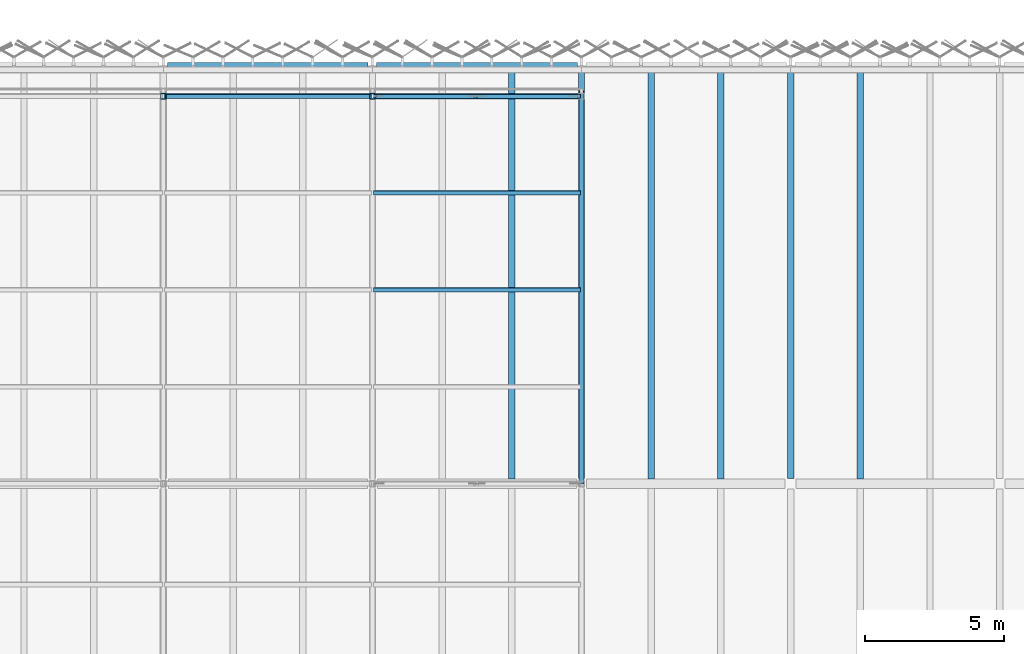
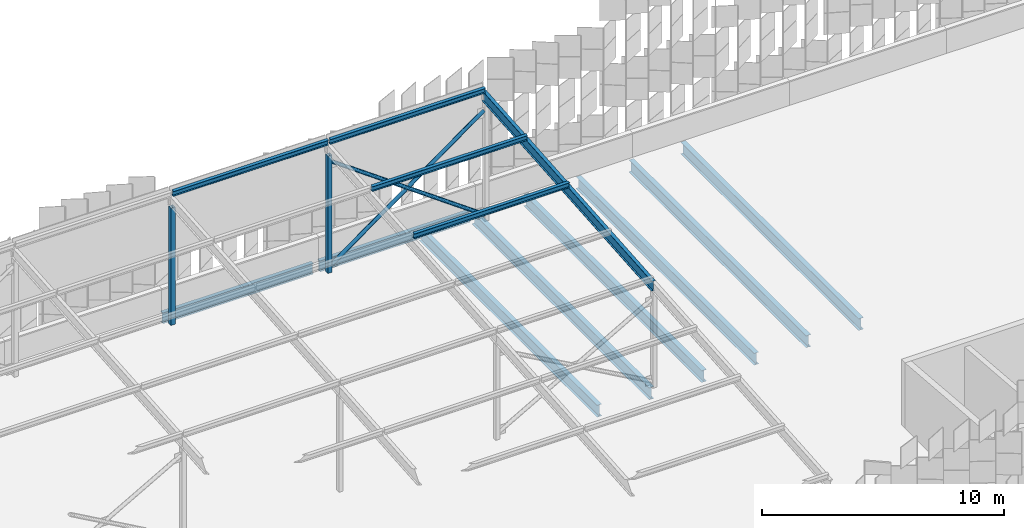
# One storey, part 99 of 483: 10 members, 8 beams.
"""IFC4 building model written with IfcOpenShell, lengths in metres."""

import ifcopenshell
import ifcopenshell.guid

model = None  # the IFC model being written
_history = None  # IfcOwnerHistory: only IFC2X3 demands one
_inside = {}  # id of a spatial element -> (the spatial element, [elements in it])
_under = {}  # id of a project, library or spatial element -> (it, [spatial elements below it])
_declared = {}  # id of a project -> (the project, [libraries it declares])
_typed = {}  # id of a type object -> (the type object, [elements of that type])
_made_of = {}  # id of a material, layer set ... -> (it, [elements and type objects made of it])


def new_model(schema):
    """Start an empty IFC model of exactly this schema.

    Asked for "IFC4X3", IfcOpenShell would pick the latest addendum, in which some entities
    have other attributes; the version numbers below select the first issue.
    IFC2X3 requires an IfcOwnerHistory on every rooted entity: one is made here for all.
    """
    global model, _history
    if schema == "IFC4X3":
        model = ifcopenshell.file(schema_version=(4, 3, 0, 0))
    else:
        model = ifcopenshell.file(schema=schema)
    _inside.clear()
    _under.clear()
    _declared.clear()
    _typed.clear()
    _made_of.clear()
    _history = None
    if model.schema == "IFC2X3":
        org = make("IfcOrganization", Name="unknown")
        user = make(
            "IfcPersonAndOrganization",
            ThePerson=make("IfcPerson", FamilyName="unknown"),
            TheOrganization=org,
        )
        app = make(
            "IfcApplication",
            ApplicationDeveloper=org,
            Version="unknown",
            ApplicationFullName="unknown",
            ApplicationIdentifier="unknown",
        )
        _history = make(
            "IfcOwnerHistory",
            OwningUser=user,
            OwningApplication=app,
            ChangeAction="ADDED",
            CreationDate=0,
        )
    return model


def make(cls, **values):
    """One entity of the class cls with the attributes given. An attribute that is None is left unset."""
    return model.create_entity(
        cls, **{name: value for name, value in values.items() if value is not None}
    )


def rooted(cls, **values):
    """An entity with a GlobalId (a new one), such as an element, a storey or a relation."""
    return make(cls, GlobalId=ifcopenshell.guid.new(), OwnerHistory=_history, **values)


def si_unit(unit_type, name, prefix=None):
    """IfcSIUnit, for example si_unit("LENGTHUNIT", "METRE", prefix="MILLI")."""
    return make("IfcSIUnit", UnitType=unit_type, Prefix=prefix, Name=name)


def assignment(units):
    """IfcUnitAssignment: the units of a project."""
    return None if units is None else make("IfcUnitAssignment", Units=units)


def point(xyz):
    """IfcCartesianPoint."""
    return None if xyz is None else make("IfcCartesianPoint", Coordinates=xyz)


def direction(xyz):
    """IfcDirection."""
    return None if xyz is None else make("IfcDirection", DirectionRatios=xyz)


def frame(location, z_axis=None, x_axis=None):
    """IfcAxis2Placement3D, a coordinate frame: its origin and axes. An axis left out is left unset."""
    return make(
        "IfcAxis2Placement3D",
        Location=point(location),
        Axis=direction(z_axis),
        RefDirection=direction(x_axis),
    )


def frame_2d(location, x_axis=None):
    """IfcAxis2Placement2D, a coordinate frame in the plane: its origin and x axis."""
    return make(
        "IfcAxis2Placement2D", Location=point(location), RefDirection=direction(x_axis)
    )


def origin():
    """The frame at (0, 0, 0) with its axes left unset."""
    return frame((0.0, 0.0, 0.0))


def origin_2d():
    """The frame at (0, 0) in the plane with its x axis left unset."""
    return frame_2d((0.0, 0.0))


def place(relative_to, where):
    """IfcLocalPlacement: puts the frame where relative to a parent placement (None: the world)."""
    return make(
        "IfcLocalPlacement", PlacementRelTo=relative_to, RelativePlacement=where
    )


def context(
    kind, dimensions, precision=None, world=None, true_north=None, identifier=None
):
    """IfcGeometricRepresentationContext, for example the 3D "Model" context."""
    return make(
        "IfcGeometricRepresentationContext",
        ContextIdentifier=identifier,
        ContextType=kind,
        CoordinateSpaceDimension=dimensions,
        Precision=precision,
        WorldCoordinateSystem=world,
        TrueNorth=true_north,
    )


def subcontext(parent, identifier, kind, view, scale=None):
    """IfcGeometricRepresentationSubContext, for example "Body" below "Model"."""
    return make(
        "IfcGeometricRepresentationSubContext",
        ContextIdentifier=identifier,
        ContextType=kind,
        ParentContext=parent,
        TargetScale=scale,
        TargetView=view,
    )


def project(units=None, contexts=None):
    """IfcProject with its units and contexts."""
    return rooted(
        "IfcProject",
        Name="project",
        RepresentationContexts=contexts,
        UnitsInContext=assignment(units),
    )


def spatial(cls, under=None, at=None, **own):
    """A site, building, storey or space (cls), placed at a placement, below another one or the project."""
    s = rooted(cls, ObjectPlacement=at, **own)
    if under is not None:
        _under.setdefault(under.id(), (under, []))[1].append(s)
    return s


def profile(cls, at=None, kind="AREA", **sizes):
    """A parametric profile (cls). Its sizes go by their IFC names, for example OverallWidth=200.0."""
    return make(cls, ProfileType=kind, Position=at, **sizes)


def hollow_rectangle(**sizes):
    """IfcRectangleHollowProfileDef."""
    return profile("IfcRectangleHollowProfileDef", **sizes)


def hollow_circle(**sizes):
    """IfcCircleHollowProfileDef."""
    return profile("IfcCircleHollowProfileDef", **sizes)


def i_section(**sizes):
    """IfcIShapeProfileDef."""
    return profile("IfcIShapeProfileDef", **sizes)


def extrude(swept, where, along, depth):
    """IfcExtrudedAreaSolid: the profile swept, set in the frame where, extruded along a direction by depth."""
    return make(
        "IfcExtrudedAreaSolid",
        SweptArea=swept,
        Position=where,
        ExtrudedDirection=direction(along),
        Depth=depth,
    )


def shape(context_of_items, identifier, shape_type, items):
    """IfcShapeRepresentation: the items that make up one representation, for example the "Body"."""
    return make(
        "IfcShapeRepresentation",
        ContextOfItems=context_of_items,
        RepresentationIdentifier=identifier,
        RepresentationType=shape_type,
        Items=items,
    )


def material(Name=None, Category=None):
    """IfcMaterial."""
    return make("IfcMaterial", Name=Name, Category=Category)


def material_profile(
    of_material, cross_section, Name=None, Category=None, Priority=None
):
    """IfcMaterialProfile: a cross section and its material."""
    return make(
        "IfcMaterialProfile",
        Name=Name,
        Material=of_material,
        Profile=cross_section,
        Priority=Priority,
        Category=Category,
    )


def profile_set(profiles, Name=None, composite=None):
    """IfcMaterialProfileSet."""
    return make(
        "IfcMaterialProfileSet",
        Name=Name,
        MaterialProfiles=profiles,
        CompositeProfile=composite,
    )


def made_of(thing, what):
    """Note that an element or type object is made of a material, layer set ...; save() writes the relation."""
    if what is not None:
        _made_of.setdefault(what.id(), (what, []))[1].append(thing)
    return thing


def type_object(cls, material=None, **own):
    """A type object (cls), such as IfcWallType, which elements share."""
    return made_of(rooted(cls, **own), material)


def element(
    cls,
    number,
    at=None,
    inside=None,
    cuts=None,
    type_object=None,
    material=None,
    context=None,
    identifier="Body",
    shape_type=None,
    held_by="IfcProductDefinitionShape",
    body=None,
    shapes=None,
    **own,
):
    """One element of the class cls, such as IfcWall. Its Tag is "e" and its number.

    at: its placement. inside: the storey or other place that contains it. cuts: it is an
    opening in that element (IfcRelVoidsElement). A single representation is given by context,
    identifier, shape_type and body (its items); several are given by shapes. held_by: the class
    of the entity that holds the representations. save() writes the other relations.
    """
    e = rooted(cls, Tag="e%d" % number, ObjectPlacement=at, **own)
    if body is not None:
        shapes = [shape(context, identifier, shape_type, body)]
    if shapes is not None:
        e.Representation = make(held_by, Representations=shapes)
    if inside is not None:
        _inside.setdefault(inside.id(), (inside, []))[1].append(e)
    if cuts is not None:
        rooted(
            "IfcRelVoidsElement", RelatingBuildingElement=cuts, RelatedOpeningElement=e
        )
    if type_object is not None:
        _typed.setdefault(type_object.id(), (type_object, []))[1].append(e)
    return made_of(e, material)


def aggregate(whole, parts):
    """IfcRelAggregates: a whole, such as a stair, and the parts it consists of."""
    return rooted("IfcRelAggregates", RelatingObject=whole, RelatedObjects=parts)


def save(model, path):
    """Write the relations noted so far, then the file.

    IfcRelAggregates (storeys below a building ...), IfcRelContainedInSpatialStructure (elements
    in a storey), IfcRelDefinesByType, IfcRelAssociatesMaterial and IfcRelDeclares: one each for
    every whole, place, type object, material and project.
    """
    for whole, parts in _under.values():
        aggregate(whole, parts)
    for where, things in _inside.values():
        rooted(
            "IfcRelContainedInSpatialStructure",
            RelatedElements=things,
            RelatingStructure=where,
        )
    for kind, things in _typed.values():
        rooted("IfcRelDefinesByType", RelatedObjects=things, RelatingType=kind)
    for what, things in _made_of.values():
        rooted("IfcRelAssociatesMaterial", RelatedObjects=things, RelatingMaterial=what)
    for by, libraries in _declared.values():
        rooted("IfcRelDeclares", RelatingContext=by, RelatedDefinitions=libraries)
    model.write(path)


model = new_model("IFC4")

# Units and contexts
model_context = context("Model", 3, precision=1e-05, world=origin(), true_north=direction((0.0, 1.0)))
body_context = subcontext(model_context, "Body", "Model", "MODEL_VIEW")
ifc_project = project(units=[si_unit("LENGTHUNIT", "METRE"), si_unit("AREAUNIT", "SQUARE_METRE"), si_unit("VOLUMEUNIT", "CUBIC_METRE"), si_unit("PLANEANGLEUNIT", "RADIAN"), si_unit("MASSUNIT", "GRAM", prefix="KILO")], contexts=[model_context])

# Site, building, storey
site_placement = place(None, origin())
site = spatial("IfcSite", under=ifc_project, at=site_placement, CompositionType="ELEMENT")
building_placement = place(site_placement, origin())
building = spatial("IfcBuilding", under=site, at=building_placement, Name="Parallax Yard Mobility Hub", CompositionType="ELEMENT")
storey_placement = place(building_placement, frame((0.0, 0.0, 13.199951171875)))
storey = spatial("IfcBuildingStorey", under=building, at=storey_placement, Name="L04", CompositionType="ELEMENT", Elevation=13.199951171875)

# Members
ifc_material_1 = material(Name="Steel ASTM A500 Gr C", Category="steel")
ifc_material_profile_1 = material_profile(ifc_material_1, hollow_circle(Radius=0.0888671875, WallThickness=0.0078125, at=origin_2d()), Name="HSS177.8x7.9")
ifc_profile_set_1 = profile_set([ifc_material_profile_1], Name="Steel ASTM A500 Gr C")
member_type_1 = type_object("IfcMemberType", Name="Canopy brace HSS177.8x7.9", PredefinedType="BRACE", material=ifc_profile_set_1)
member_1_placement = place(storey_placement, frame((119.913330078125, 141.39990234375, 0.300048828125), z_axis=(-0.812229364316, 0.0, 0.583338203569), x_axis=(0.0, -1.0, 0.0)))
element("IfcMember", 1, at=member_1_placement, inside=storey, type_object=member_type_1, Name="Canopy X brace RC bay N-B bay 4 diagonal B", PredefinedType="BRACE", context=body_context, shape_type="SweptSolid", body=[
    extrude(hollow_circle(Radius=0.0888671875, WallThickness=0.0078125, at=origin_2d()), origin(), (0.0, 0.0, 1.0), 9.0205078125),
])
for number, where, z_axis, x_axis, name in (
    (2, (112.586669921875, 141.39990234375, 0.300048828125), (0.812232602015, 0.0, 0.58333369543), (0.0, 1.0, 0.0), "Canopy X brace RC bay N-B bay 4 diagonal A part 1"),
    (3, (116.318115234375, 141.39990234375, 2.97998046875), (0.812232602015, 0.0, 0.58333369543), (0.0, 1.0, 0.0), "Canopy X brace RC bay N-B bay 4 diagonal A part 2"),
):
    element("IfcMember", number, at=place(storey_placement, frame(where, z_axis=z_axis, x_axis=x_axis)), inside=storey, type_object=member_type_1, Name=name, PredefinedType="BRACE", context=body_context, shape_type="SweptSolid", body=[
        extrude(hollow_circle(Radius=0.0888671875, WallThickness=0.0078125, at=origin_2d()), origin(), (0.0, 0.0, 1.0), 4.42626953125),
    ])
ifc_material_profile_2 = material_profile(ifc_material_1, hollow_rectangle(XDim=0.203125, YDim=0.203125, WallThickness=0.009521484375, at=origin_2d()), Name="HSS203x203x9.5")
ifc_profile_set_2 = profile_set([ifc_material_profile_2], Name="Steel ASTM A500 Gr C")
member_type_2 = type_object("IfcMemberType", Name="Canopy post HSS203x203x9.5", PredefinedType="POST", material=ifc_profile_set_2)
for number, where, z_axis, x_axis, name in (
    (4, (105.0, 141.39990234375, 0.0), (0.0, 0.0, 1.0), (1.0, 0.0, 0.0), "Canopy post RC/N-B3"),
    (5, (112.5, 141.39990234375, 0.0), (0.0, 0.0, 1.0), (1.0, 0.0, 0.0), "Canopy post RC/N-B4"),
):
    element("IfcMember", number, at=place(storey_placement, frame(where, z_axis=z_axis, x_axis=x_axis)), inside=storey, type_object=member_type_2, Name=name, PredefinedType="POST", context=body_context, shape_type="SweptSolid", body=[
        extrude(hollow_rectangle(XDim=0.203125, YDim=0.203125, WallThickness=0.009521484375, at=origin_2d()), origin(), (0.0, 0.0, 1.0), 5.922119140625),
    ])
ifc_material_2 = material(Name="Steel ASTM A992", Category="steel")
ifc_material_profile_3 = material_profile(ifc_material_2, i_section(OverallWidth=0.14794921875, OverallDepth=0.26611328125, WebThickness=0.007568359375, FlangeThickness=0.012939453125, at=origin_2d()), Name="W250x45")
ifc_profile_set_3 = profile_set([ifc_material_profile_3], Name="Steel ASTM A992")
member_type_3 = type_object("IfcMemberType", Name="Canopy purlin W250x45", PredefinedType="PURLIN", material=ifc_profile_set_3)
for number, where, z_axis, x_axis, name in (
    (6, (105.0400390625, 141.41064453125, 6.573974609375), (1.0, 0.0, 0.0), (0.0, 0.996815308126, 0.079744852409), "Canopy purlin sector N-B bay 3 line 9"),
    (7, (112.5400390625, 134.460693359375, 6.01806640625), (1.0, 0.0, 0.0), (0.0, 0.996815308126, 0.079744852409), "Canopy purlin sector N-B bay 4 line 7"),
    (8, (112.5400390625, 137.935546875, 6.296142578125), (1.0, 0.0, 0.0), (0.0, 0.996815308126, 0.079744852409), "Canopy purlin sector N-B bay 4 line 8"),
    (9, (112.5400390625, 141.41064453125, 6.573974609375), (1.0, 0.0, 0.0), (0.0, 0.996815308126, 0.079744852409), "Canopy purlin sector N-B bay 4 line 9"),
):
    element("IfcMember", number, at=place(storey_placement, frame(where, z_axis=z_axis, x_axis=x_axis)), inside=storey, type_object=member_type_3, Name=name, PredefinedType="PURLIN", context=body_context, shape_type="SweptSolid", body=[
        extrude(i_section(OverallWidth=0.14794921875, OverallDepth=0.26611328125, WebThickness=0.007568359375, FlangeThickness=0.012939453125, at=origin_2d()), origin(), (0.0, 0.0, 1.0), 7.419921875),
    ])
ifc_material_profile_4 = material_profile(ifc_material_2, i_section(OverallWidth=0.166015625, OverallDepth=0.529052734375, WebThickness=0.009765625, FlangeThickness=0.013671875, at=origin_2d()), Name="W530x74")
ifc_profile_set_4 = profile_set([ifc_material_profile_4], Name="Steel ASTM A992")
member_type_4 = type_object("IfcMemberType", Name="Canopy rafter W530x74", PredefinedType="RAFTER", material=ifc_profile_set_4)
member_2_placement = place(storey_placement, frame((120.0, 127.52099609375, 5.067138671875), z_axis=(0.0, 0.996815168385, 0.079746599163), x_axis=(-1.0, 0.0, 0.0)))
element("IfcMember", 10, at=member_2_placement, inside=storey, type_object=member_type_4, Name="Canopy rafter N-B5 outer span", PredefinedType="RAFTER", context=body_context, shape_type="SweptSolid", body=[
    extrude(i_section(OverallWidth=0.166015625, OverallDepth=0.529052734375, WebThickness=0.009765625, FlangeThickness=0.013671875, at=origin_2d()), origin(), (0.0, 0.0, 1.0), 14.094970703125),
])

# Beams
ifc_material_profile_5 = material_profile(ifc_material_2, i_section(OverallWidth=0.208984375, OverallDepth=0.532958984375, WebThickness=0.01025390625, FlangeThickness=0.015625, FilletRadius=0.0126953125, at=origin_2d()), Name="W530x92")
ifc_profile_set_5 = profile_set([ifc_material_profile_5], Name="Steel ASTM A992")
beam_type_1 = type_object("IfcBeamType", Name="W530x92 edge beam", PredefinedType="SPANDREL", material=ifc_profile_set_5)
for number, where, z_axis, x_axis, name in (
    (11, (105.152587890625, 142.5, -0.406494140625), (1.0, 0.0, 0.0), (0.0, 1.0, 0.0), "Edge beam SB5 level L04, line V of ramped parking decks, span 11"),
    (12, (112.652587890625, 142.5, -0.406494140625), (1.0, 0.0, 0.0), (0.0, 1.0, 0.0), "Edge beam SB5 level L04, line V of ramped parking decks, span 12"),
):
    element("IfcBeam", number, at=place(storey_placement, frame(where, z_axis=z_axis, x_axis=x_axis)), inside=storey, type_object=beam_type_1, Name=name, PredefinedType="SPANDREL", context=body_context, shape_type="SweptSolid", body=[
        extrude(i_section(OverallWidth=0.208984375, OverallDepth=0.532958984375, WebThickness=0.01025390625, FlangeThickness=0.015625, FilletRadius=0.0126953125, at=origin_2d()), origin(), (0.0, 0.0, 1.0), 7.19482421875),
    ])
ifc_material_profile_6 = material_profile(ifc_material_2, i_section(OverallWidth=0.22802734375, OverallDepth=0.60205078125, WebThickness=0.010498046875, FlangeThickness=0.014892578125, FilletRadius=0.0126953125, at=origin_2d()), Name="W610x101")
ifc_profile_set_6 = profile_set([ifc_material_profile_6], Name="Steel ASTM A992")
beam_type_2 = type_object("IfcBeamType", Name="W610x101 secondary beam", PredefinedType="JOIST", material=ifc_profile_set_6)
for number, where, z_axis, x_axis, name in (
    (13, (122.5, 127.66259765625, -0.44091796875), (0.0, 1.0, 0.0), (-1.0, 0.0, 0.0), "Secondary beam B3 level L04, 2.5 m east of line 17 of ramped parking decks, span 2"),
    (14, (130.0, 127.66259765625, -0.44091796875), (0.0, 1.0, 0.0), (-1.0, 0.0, 0.0), "Secondary beam B3 level L04, 2.5 m east of line 18 of ramped parking decks, span 2"),
    (15, (117.5, 127.66259765625, -0.44091796875), (0.0, 1.0, 0.0), (-1.0, 0.0, 0.0), "Secondary beam B3 level L04, 5 m east of line 16 of ramped parking decks, span 2"),
    (16, (125.0, 127.66259765625, -0.44091796875), (0.0, 1.0, 0.0), (-1.0, 0.0, 0.0), "Secondary beam B3 level L04, 5 m east of line 17 of ramped parking decks, span 2"),
):
    element("IfcBeam", number, at=place(storey_placement, frame(where, z_axis=z_axis, x_axis=x_axis)), inside=storey, type_object=beam_type_2, Name=name, PredefinedType="JOIST", context=body_context, shape_type="SweptSolid", body=[
        extrude(i_section(OverallWidth=0.22802734375, OverallDepth=0.60205078125, WebThickness=0.010498046875, FlangeThickness=0.014892578125, FilletRadius=0.0126953125, at=origin_2d()), origin(), (0.0, 0.0, 1.0), 14.73291015625),
    ])
ifc_material_profile_7 = material_profile(ifc_material_2, i_section(OverallWidth=0.22900390625, OverallDepth=0.612060546875, WebThickness=0.011962890625, FlangeThickness=0.01953125, FilletRadius=0.0126953125, at=origin_2d()), Name="W610x125")
ifc_profile_set_7 = profile_set([ifc_material_profile_7], Name="Steel ASTM A992")
beam_type_3 = type_object("IfcBeamType", Name="W610x125 girder", PredefinedType="BEAM", material=ifc_profile_set_7)
beam_1_placement = place(storey_placement, frame((120.0, 127.68408203125, -0.446044921875), z_axis=(0.0, 1.0, 0.0), x_axis=(-1.0, 0.0, 0.0)))
element("IfcBeam", 17, at=beam_1_placement, inside=storey, type_object=beam_type_3, Name="Girder G3 level L04, line 17 of ramped parking decks, span 2", PredefinedType="BEAM", context=body_context, shape_type="SweptSolid", body=[
    extrude(i_section(OverallWidth=0.22900390625, OverallDepth=0.612060546875, WebThickness=0.011962890625, FlangeThickness=0.01953125, FilletRadius=0.0126953125, at=origin_2d()), origin(), (0.0, 0.0, 1.0), 14.662353515625),
])
beam_2_placement = place(storey_placement, frame((127.5, 127.68798828125, -0.446044921875), z_axis=(0.0, 1.0, 0.0), x_axis=(-1.0, 0.0, 0.0)))
element("IfcBeam", 18, at=beam_2_placement, inside=storey, type_object=beam_type_3, Name="Girder G3 level L04, line 18 of ramped parking decks, span 2", PredefinedType="BEAM", context=body_context, shape_type="SweptSolid", body=[
    extrude(i_section(OverallWidth=0.22900390625, OverallDepth=0.612060546875, WebThickness=0.011962890625, FlangeThickness=0.01953125, FilletRadius=0.0126953125, at=origin_2d()), origin(), (0.0, 0.0, 1.0), 14.658447265625),
])

save(model, "model.ifc")
